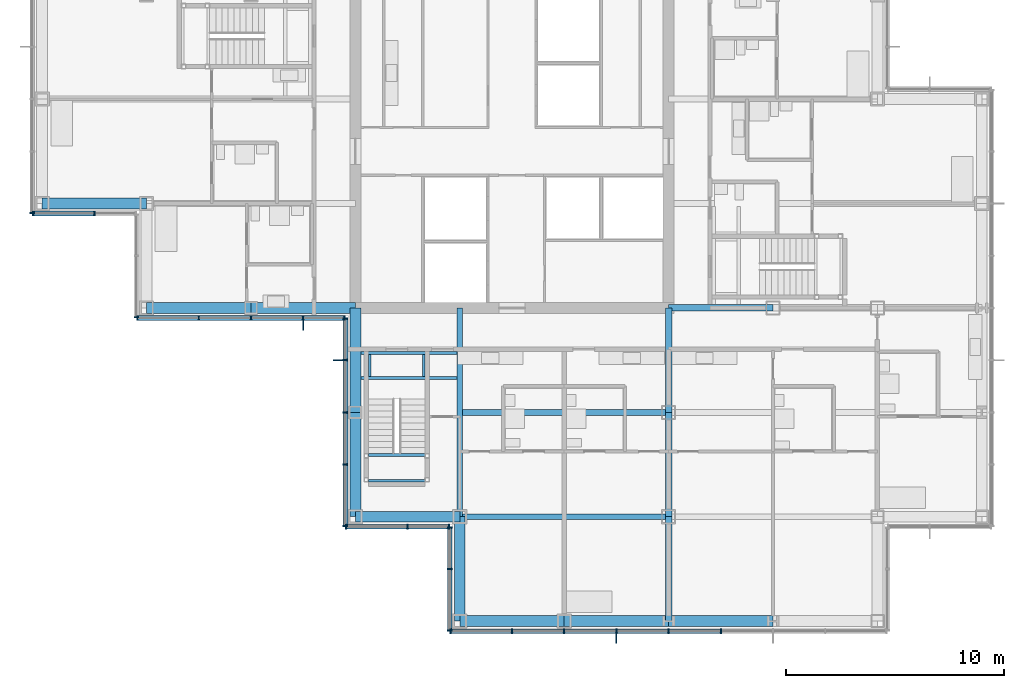
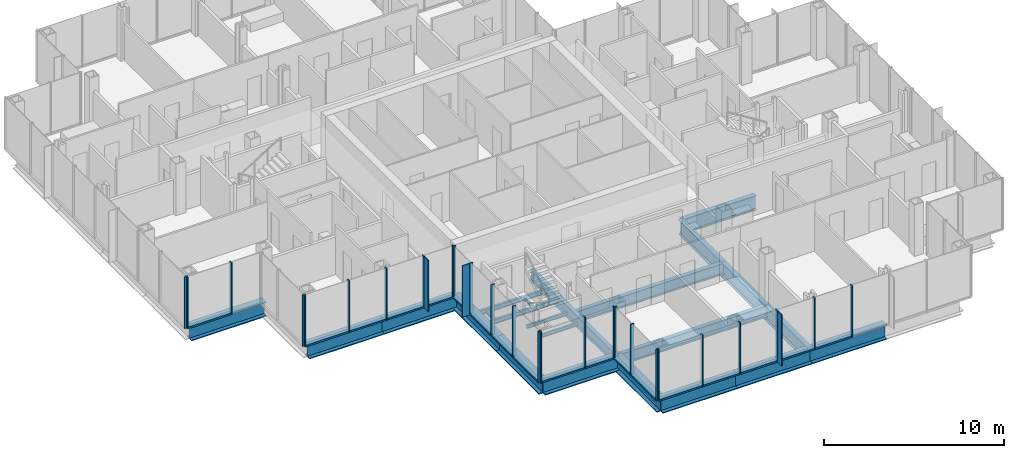
# One storey, part 6 of 20: 47 members, 23 beams, 8 elements without a shape of their own.
"""IFC4 building model written with IfcOpenShell, lengths in metres."""

import ifcopenshell
import ifcopenshell.guid

model = None  # the IFC model being written
_history = None  # IfcOwnerHistory: only IFC2X3 demands one
_inside = {}  # id of a spatial element -> (the spatial element, [elements in it])
_under = {}  # id of a project, library or spatial element -> (it, [spatial elements below it])
_declared = {}  # id of a project -> (the project, [libraries it declares])
_typed = {}  # id of a type object -> (the type object, [elements of that type])
_made_of = {}  # id of a material, layer set ... -> (it, [elements and type objects made of it])


def new_model(schema):
    """Start an empty IFC model of exactly this schema.

    Asked for "IFC4X3", IfcOpenShell would pick the latest addendum, in which some entities
    have other attributes; the version numbers below select the first issue.
    IFC2X3 requires an IfcOwnerHistory on every rooted entity: one is made here for all.
    """
    global model, _history
    if schema == "IFC4X3":
        model = ifcopenshell.file(schema_version=(4, 3, 0, 0))
    else:
        model = ifcopenshell.file(schema=schema)
    _inside.clear()
    _under.clear()
    _declared.clear()
    _typed.clear()
    _made_of.clear()
    _history = None
    if model.schema == "IFC2X3":
        org = make("IfcOrganization", Name="unknown")
        user = make(
            "IfcPersonAndOrganization",
            ThePerson=make("IfcPerson", FamilyName="unknown"),
            TheOrganization=org,
        )
        app = make(
            "IfcApplication",
            ApplicationDeveloper=org,
            Version="unknown",
            ApplicationFullName="unknown",
            ApplicationIdentifier="unknown",
        )
        _history = make(
            "IfcOwnerHistory",
            OwningUser=user,
            OwningApplication=app,
            ChangeAction="ADDED",
            CreationDate=0,
        )
    return model


def make(cls, **values):
    """One entity of the class cls with the attributes given. An attribute that is None is left unset."""
    return model.create_entity(
        cls, **{name: value for name, value in values.items() if value is not None}
    )


def rooted(cls, **values):
    """An entity with a GlobalId (a new one), such as an element, a storey or a relation."""
    return make(cls, GlobalId=ifcopenshell.guid.new(), OwnerHistory=_history, **values)


def si_unit(unit_type, name, prefix=None):
    """IfcSIUnit, for example si_unit("LENGTHUNIT", "METRE", prefix="MILLI")."""
    return make("IfcSIUnit", UnitType=unit_type, Prefix=prefix, Name=name)


def assignment(units):
    """IfcUnitAssignment: the units of a project."""
    return None if units is None else make("IfcUnitAssignment", Units=units)


def point(xyz):
    """IfcCartesianPoint."""
    return None if xyz is None else make("IfcCartesianPoint", Coordinates=xyz)


def direction(xyz):
    """IfcDirection."""
    return None if xyz is None else make("IfcDirection", DirectionRatios=xyz)


def frame(location, z_axis=None, x_axis=None):
    """IfcAxis2Placement3D, a coordinate frame: its origin and axes. An axis left out is left unset."""
    return make(
        "IfcAxis2Placement3D",
        Location=point(location),
        Axis=direction(z_axis),
        RefDirection=direction(x_axis),
    )


def frame_2d(location, x_axis=None):
    """IfcAxis2Placement2D, a coordinate frame in the plane: its origin and x axis."""
    return make(
        "IfcAxis2Placement2D", Location=point(location), RefDirection=direction(x_axis)
    )


def origin():
    """The frame at (0, 0, 0) with its axes left unset."""
    return frame((0.0, 0.0, 0.0))


def origin_2d():
    """The frame at (0, 0) in the plane with its x axis left unset."""
    return frame_2d((0.0, 0.0))


def place(relative_to, where):
    """IfcLocalPlacement: puts the frame where relative to a parent placement (None: the world)."""
    return make(
        "IfcLocalPlacement", PlacementRelTo=relative_to, RelativePlacement=where
    )


def context(
    kind, dimensions, precision=None, world=None, true_north=None, identifier=None
):
    """IfcGeometricRepresentationContext, for example the 3D "Model" context."""
    return make(
        "IfcGeometricRepresentationContext",
        ContextIdentifier=identifier,
        ContextType=kind,
        CoordinateSpaceDimension=dimensions,
        Precision=precision,
        WorldCoordinateSystem=world,
        TrueNorth=true_north,
    )


def subcontext(parent, identifier, kind, view, scale=None):
    """IfcGeometricRepresentationSubContext, for example "Body" below "Model"."""
    return make(
        "IfcGeometricRepresentationSubContext",
        ContextIdentifier=identifier,
        ContextType=kind,
        ParentContext=parent,
        TargetScale=scale,
        TargetView=view,
    )


def project(units=None, contexts=None):
    """IfcProject with its units and contexts."""
    return rooted(
        "IfcProject",
        Name="project",
        RepresentationContexts=contexts,
        UnitsInContext=assignment(units),
    )


def spatial(cls, under=None, at=None, **own):
    """A site, building, storey or space (cls), placed at a placement, below another one or the project."""
    s = rooted(cls, ObjectPlacement=at, **own)
    if under is not None:
        _under.setdefault(under.id(), (under, []))[1].append(s)
    return s


def profile(cls, at=None, kind="AREA", **sizes):
    """A parametric profile (cls). Its sizes go by their IFC names, for example OverallWidth=200.0."""
    return make(cls, ProfileType=kind, Position=at, **sizes)


def rectangle(**sizes):
    """IfcRectangleProfileDef."""
    return profile("IfcRectangleProfileDef", **sizes)


def i_section(**sizes):
    """IfcIShapeProfileDef."""
    return profile("IfcIShapeProfileDef", **sizes)


def extrude(swept, where, along, depth):
    """IfcExtrudedAreaSolid: the profile swept, set in the frame where, extruded along a direction by depth."""
    return make(
        "IfcExtrudedAreaSolid",
        SweptArea=swept,
        Position=where,
        ExtrudedDirection=direction(along),
        Depth=depth,
    )


def shape(context_of_items, identifier, shape_type, items):
    """IfcShapeRepresentation: the items that make up one representation, for example the "Body"."""
    return make(
        "IfcShapeRepresentation",
        ContextOfItems=context_of_items,
        RepresentationIdentifier=identifier,
        RepresentationType=shape_type,
        Items=items,
    )


def material(Name=None, Category=None):
    """IfcMaterial."""
    return make("IfcMaterial", Name=Name, Category=Category)


def material_profile(
    of_material, cross_section, Name=None, Category=None, Priority=None
):
    """IfcMaterialProfile: a cross section and its material."""
    return make(
        "IfcMaterialProfile",
        Name=Name,
        Material=of_material,
        Profile=cross_section,
        Priority=Priority,
        Category=Category,
    )


def profile_set(profiles, Name=None, composite=None):
    """IfcMaterialProfileSet."""
    return make(
        "IfcMaterialProfileSet",
        Name=Name,
        MaterialProfiles=profiles,
        CompositeProfile=composite,
    )


def made_of(thing, what):
    """Note that an element or type object is made of a material, layer set ...; save() writes the relation."""
    if what is not None:
        _made_of.setdefault(what.id(), (what, []))[1].append(thing)
    return thing


def type_object(cls, material=None, **own):
    """A type object (cls), such as IfcWallType, which elements share."""
    return made_of(rooted(cls, **own), material)


def element(
    cls,
    number,
    at=None,
    inside=None,
    cuts=None,
    type_object=None,
    material=None,
    context=None,
    identifier="Body",
    shape_type=None,
    held_by="IfcProductDefinitionShape",
    body=None,
    shapes=None,
    **own,
):
    """One element of the class cls, such as IfcWall. Its Tag is "e" and its number.

    at: its placement. inside: the storey or other place that contains it. cuts: it is an
    opening in that element (IfcRelVoidsElement). A single representation is given by context,
    identifier, shape_type and body (its items); several are given by shapes. held_by: the class
    of the entity that holds the representations. save() writes the other relations.
    """
    e = rooted(cls, Tag="e%d" % number, ObjectPlacement=at, **own)
    if body is not None:
        shapes = [shape(context, identifier, shape_type, body)]
    if shapes is not None:
        e.Representation = make(held_by, Representations=shapes)
    if inside is not None:
        _inside.setdefault(inside.id(), (inside, []))[1].append(e)
    if cuts is not None:
        rooted(
            "IfcRelVoidsElement", RelatingBuildingElement=cuts, RelatedOpeningElement=e
        )
    if type_object is not None:
        _typed.setdefault(type_object.id(), (type_object, []))[1].append(e)
    return made_of(e, material)


def aggregate(whole, parts):
    """IfcRelAggregates: a whole, such as a stair, and the parts it consists of."""
    return rooted("IfcRelAggregates", RelatingObject=whole, RelatedObjects=parts)


def save(model, path):
    """Write the relations noted so far, then the file.

    IfcRelAggregates (storeys below a building ...), IfcRelContainedInSpatialStructure (elements
    in a storey), IfcRelDefinesByType, IfcRelAssociatesMaterial and IfcRelDeclares: one each for
    every whole, place, type object, material and project.
    """
    for whole, parts in _under.values():
        aggregate(whole, parts)
    for where, things in _inside.values():
        rooted(
            "IfcRelContainedInSpatialStructure",
            RelatedElements=things,
            RelatingStructure=where,
        )
    for kind, things in _typed.values():
        rooted("IfcRelDefinesByType", RelatedObjects=things, RelatingType=kind)
    for what, things in _made_of.values():
        rooted("IfcRelAssociatesMaterial", RelatedObjects=things, RelatingMaterial=what)
    for by, libraries in _declared.values():
        rooted("IfcRelDeclares", RelatingContext=by, RelatedDefinitions=libraries)
    model.write(path)


model = new_model("IFC4")

# Units and contexts
model_context = context("Model", 3, precision=1e-05, world=origin(), true_north=direction((0.0, 1.0)))
body_context = subcontext(model_context, "Body", "Model", "MODEL_VIEW")
ifc_project = project(units=[si_unit("LENGTHUNIT", "METRE"), si_unit("AREAUNIT", "SQUARE_METRE"), si_unit("VOLUMEUNIT", "CUBIC_METRE"), si_unit("PLANEANGLEUNIT", "RADIAN"), si_unit("MASSUNIT", "GRAM", prefix="KILO")], contexts=[model_context])

# Site, building, storey
site_placement = place(None, origin())
site = spatial("IfcSite", under=ifc_project, at=site_placement, CompositionType="ELEMENT")
building_placement = place(site_placement, origin())
building = spatial("IfcBuilding", under=site, at=building_placement, Name="Kvirike Care Tower", CompositionType="ELEMENT")
storey_placement = place(building_placement, frame((0.0, 0.0, 94.5)))
storey = spatial("IfcBuildingStorey", under=building, at=storey_placement, Name="L25", CompositionType="ELEMENT", Elevation=94.5)

# Curtain wall, member
ifc_material_1 = material(Name="Anodised aluminium stick system", Category="aluminium")
curtain_wall_type = type_object("IfcCurtainWallType", Name="CW-B STICK CURTAIN WALL", PredefinedType="NOTDEFINED", material=ifc_material_1)
curtain_wall_1_placement = place(storey_placement, origin())
curtain_wall_1 = element("IfcCurtainWall", 1, at=curtain_wall_1_placement, inside=storey, type_object=curtain_wall_type, Name="Curtain wall L25 face 14", PredefinedType="NOTDEFINED")
ifc_material_2 = material(Name="Bronze anodised aluminium fin", Category="aluminium")
ifc_material_profile_1 = material_profile(ifc_material_2, rectangle(XDim=0.050048828125, YDim=0.449951171875, at=origin_2d()), Name="BRONZE FIN 450")
ifc_profile_set_1 = profile_set([ifc_material_profile_1], Name="Bronze anodised aluminium fin")
member_type_1 = type_object("IfcMemberType", Name="BRONZE FIN 450", PredefinedType="USERDEFINED", material=ifc_profile_set_1)
member_1_placement = place(storey_placement, frame((12.0, 28.0048828125, 0.0), z_axis=(0.0, 0.0, 1.0), x_axis=(1.0, 0.0, 0.0)))
member_1 = element("IfcMember", 2, at=member_1_placement, type_object=member_type_1, Name="Bronze fin L25 face 14.4", ObjectType="FIN", PredefinedType="USERDEFINED", context=body_context, shape_type="SweptSolid", body=[
    extrude(rectangle(XDim=0.050048828125, YDim=0.449951171875, at=origin_2d()), origin(), (0.0, 0.0, 1.0), 3.5),
])

curtain_wall_2_placement = place(storey_placement, origin())
curtain_wall_2 = element("IfcCurtainWall", 3, at=curtain_wall_2_placement, inside=storey, type_object=curtain_wall_type, Name="Curtain wall L25 face 15", PredefinedType="NOTDEFINED")
member_2_placement = place(storey_placement, frame((13.60498046875, 26.39990234375, 0.0), z_axis=(0.0, 0.0, 1.0), x_axis=(0.0, -1.0, 0.0)))
member_2 = element("IfcMember", 4, at=member_2_placement, type_object=member_type_1, Name="Bronze fin L25 face 15.2", ObjectType="FIN", PredefinedType="USERDEFINED", context=body_context, shape_type="SweptSolid", body=[
    extrude(rectangle(XDim=0.050048828125, YDim=0.449951171875, at=origin_2d()), origin(), (0.0, 0.0, 1.0), 3.5),
])

curtain_wall_3_placement = place(storey_placement, origin())
curtain_wall_3 = element("IfcCurtainWall", 5, at=curtain_wall_3_placement, inside=storey, type_object=curtain_wall_type, Name="Curtain wall L25 face 18", PredefinedType="NOTDEFINED")
member_3_placement = place(storey_placement, frame((26.39990234375, 13.60498046875, 0.0), z_axis=(0.0, 0.0, 1.0), x_axis=(1.0, 0.0, 0.0)))
member_3 = element("IfcMember", 6, at=member_3_placement, type_object=member_type_1, Name="Bronze fin L25 face 18.4", ObjectType="FIN", PredefinedType="USERDEFINED", context=body_context, shape_type="SweptSolid", body=[
    extrude(rectangle(XDim=0.050048828125, YDim=0.449951171875, at=origin_2d()), origin(), (0.0, 0.0, 1.0), 3.5),
])

curtain_wall_4_placement = place(storey_placement, origin())
curtain_wall_4 = element("IfcCurtainWall", 7, at=curtain_wall_4_placement, inside=storey, type_object=curtain_wall_type, Name="Curtain wall L25 face 11", PredefinedType="NOTDEFINED")
ifc_material_3 = material(Name="Bronze anodised aluminium mullion", Category="aluminium")
ifc_material_profile_2 = material_profile(ifc_material_3, rectangle(XDim=0.06494140625, YDim=0.219970703125, at=origin_2d()), Name="CW-B MULLION 65x220")
ifc_profile_set_2 = profile_set([ifc_material_profile_2], Name="Bronze anodised aluminium mullion")
member_type_2 = type_object("IfcMemberType", Name="CW-B MULLION 65x220", PredefinedType="MULLION", material=ifc_profile_set_2)
member_4_placement = place(storey_placement, frame((-0.4599609375, 33.172607421875, 0.0), z_axis=(0.0, 0.0, 1.0), x_axis=(0.0, -1.0, 0.0)))
member_4 = element("IfcMember", 8, at=member_4_placement, type_object=member_type_2, Name="CW-B mullion L25 face 11.9", PredefinedType="MULLION", context=body_context, shape_type="SweptSolid", body=[
    extrude(rectangle(XDim=0.06494140625, YDim=0.219970703125, at=origin_2d()), origin(), (0.0, 0.0, 1.0), 3.5),
])
aggregate(curtain_wall_4, [member_4])

# Curtain wall, members
curtain_wall_5_placement = place(storey_placement, origin())
curtain_wall_5 = element("IfcCurtainWall", 9, at=curtain_wall_5_placement, inside=storey, type_object=curtain_wall_type, Name="Curtain wall L25 face 12", PredefinedType="NOTDEFINED")
member_5_placement = place(storey_placement, frame((-0.427490234375, 33.139892578125, 0.0), z_axis=(0.0, 0.0, 1.0), x_axis=(1.0, 0.0, 0.0)))
member_5 = element("IfcMember", 10, at=member_5_placement, type_object=member_type_2, Name="CW-B mullion L25 face 12.1", PredefinedType="MULLION", context=body_context, shape_type="SweptSolid", body=[
    extrude(rectangle(XDim=0.06494140625, YDim=0.219970703125, at=origin_2d()), origin(), (0.0, 0.0, 1.0), 3.5),
])
member_6_placement = place(storey_placement, frame((2.39990234375, 33.139892578125, 0.0), z_axis=(0.0, 0.0, 1.0), x_axis=(1.0, 0.0, 0.0)))
member_6 = element("IfcMember", 11, at=member_6_placement, type_object=member_type_2, Name="CW-B mullion L25 face 12.2", PredefinedType="MULLION", context=body_context, shape_type="SweptSolid", body=[
    extrude(rectangle(XDim=0.06494140625, YDim=0.219970703125, at=origin_2d()), origin(), (0.0, 0.0, 1.0), 3.5),
])

# Curtain wall, member
curtain_wall_6_placement = place(storey_placement, origin())
curtain_wall_6 = element("IfcCurtainWall", 12, at=curtain_wall_6_placement, inside=storey, type_object=curtain_wall_type, Name="Curtain wall L25 face 13", PredefinedType="NOTDEFINED")
member_7_placement = place(storey_placement, frame((4.340087890625, 28.37255859375, 0.0), z_axis=(0.0, 0.0, 1.0), x_axis=(0.0, -1.0, 0.0)))
member_7 = element("IfcMember", 13, at=member_7_placement, type_object=member_type_2, Name="CW-B mullion L25 face 13.3", PredefinedType="MULLION", context=body_context, shape_type="SweptSolid", body=[
    extrude(rectangle(XDim=0.06494140625, YDim=0.219970703125, at=origin_2d()), origin(), (0.0, 0.0, 1.0), 3.5),
])
aggregate(curtain_wall_6, [member_7])

# Member
member_8_placement = place(storey_placement, frame((4.37255859375, 28.340087890625, 0.0), z_axis=(0.0, 0.0, 1.0), x_axis=(1.0, 0.0, 0.0)))
member_8 = element("IfcMember", 14, at=member_8_placement, type_object=member_type_2, Name="CW-B mullion L25 face 14.1", PredefinedType="MULLION", context=body_context, shape_type="SweptSolid", body=[
    extrude(rectangle(XDim=0.06494140625, YDim=0.219970703125, at=origin_2d()), origin(), (0.0, 0.0, 1.0), 3.5),
])

member_9_placement = place(storey_placement, frame((7.199951171875, 28.340087890625, 0.0), z_axis=(0.0, 0.0, 1.0), x_axis=(1.0, 0.0, 0.0)))
member_9 = element("IfcMember", 15, at=member_9_placement, type_object=member_type_2, Name="CW-B mullion L25 face 14.2", PredefinedType="MULLION", context=body_context, shape_type="SweptSolid", body=[
    extrude(rectangle(XDim=0.06494140625, YDim=0.219970703125, at=origin_2d()), origin(), (0.0, 0.0, 1.0), 3.5),
])

member_10_placement = place(storey_placement, frame((9.60009765625, 28.340087890625, 0.0), z_axis=(0.0, 0.0, 1.0), x_axis=(1.0, 0.0, 0.0)))
member_10 = element("IfcMember", 16, at=member_10_placement, type_object=member_type_2, Name="CW-B mullion L25 face 14.3", PredefinedType="MULLION", context=body_context, shape_type="SweptSolid", body=[
    extrude(rectangle(XDim=0.06494140625, YDim=0.219970703125, at=origin_2d()), origin(), (0.0, 0.0, 1.0), 3.5),
])

member_11_placement = place(storey_placement, frame((12.0, 28.340087890625, 0.0), z_axis=(0.0, 0.0, 1.0), x_axis=(1.0, 0.0, 0.0)))
member_11 = element("IfcMember", 17, at=member_11_placement, type_object=member_type_2, Name="CW-B mullion L25 face 14.4", PredefinedType="MULLION", context=body_context, shape_type="SweptSolid", body=[
    extrude(rectangle(XDim=0.06494140625, YDim=0.219970703125, at=origin_2d()), origin(), (0.0, 0.0, 1.0), 3.5),
])

member_12_placement = place(storey_placement, frame((13.907470703125, 28.340087890625, 0.0), z_axis=(0.0, 0.0, 1.0), x_axis=(1.0, 0.0, 0.0)))
member_12 = element("IfcMember", 18, at=member_12_placement, type_object=member_type_2, Name="CW-B mullion L25 face 14.5", PredefinedType="MULLION", context=body_context, shape_type="SweptSolid", body=[
    extrude(rectangle(XDim=0.06494140625, YDim=0.219970703125, at=origin_2d()), origin(), (0.0, 0.0, 1.0), 3.5),
])

member_13_placement = place(storey_placement, frame((13.93994140625, 28.3076171875, 0.0), z_axis=(0.0, 0.0, 1.0), x_axis=(0.0, -1.0, 0.0)))
member_13 = element("IfcMember", 19, at=member_13_placement, type_object=member_type_2, Name="CW-B mullion L25 face 15.1", PredefinedType="MULLION", context=body_context, shape_type="SweptSolid", body=[
    extrude(rectangle(XDim=0.06494140625, YDim=0.219970703125, at=origin_2d()), origin(), (0.0, 0.0, 1.0), 3.5),
])

member_14_placement = place(storey_placement, frame((13.93994140625, 26.39990234375, 0.0), z_axis=(0.0, 0.0, 1.0), x_axis=(0.0, -1.0, 0.0)))
member_14 = element("IfcMember", 20, at=member_14_placement, type_object=member_type_2, Name="CW-B mullion L25 face 15.2", PredefinedType="MULLION", context=body_context, shape_type="SweptSolid", body=[
    extrude(rectangle(XDim=0.06494140625, YDim=0.219970703125, at=origin_2d()), origin(), (0.0, 0.0, 1.0), 3.5),
])

member_15_placement = place(storey_placement, frame((13.93994140625, 24.0, 0.0), z_axis=(0.0, 0.0, 1.0), x_axis=(0.0, -1.0, 0.0)))
member_15 = element("IfcMember", 21, at=member_15_placement, type_object=member_type_2, Name="CW-B mullion L25 face 15.3", PredefinedType="MULLION", context=body_context, shape_type="SweptSolid", body=[
    extrude(rectangle(XDim=0.06494140625, YDim=0.219970703125, at=origin_2d()), origin(), (0.0, 0.0, 1.0), 3.5),
])

member_16_placement = place(storey_placement, frame((13.93994140625, 21.60009765625, 0.0), z_axis=(0.0, 0.0, 1.0), x_axis=(0.0, -1.0, 0.0)))
member_16 = element("IfcMember", 22, at=member_16_placement, type_object=member_type_2, Name="CW-B mullion L25 face 15.4", PredefinedType="MULLION", context=body_context, shape_type="SweptSolid", body=[
    extrude(rectangle(XDim=0.06494140625, YDim=0.219970703125, at=origin_2d()), origin(), (0.0, 0.0, 1.0), 3.5),
])

member_17_placement = place(storey_placement, frame((13.93994140625, 18.7724609375, 0.0), z_axis=(0.0, 0.0, 1.0), x_axis=(0.0, -1.0, 0.0)))
member_17 = element("IfcMember", 23, at=member_17_placement, type_object=member_type_2, Name="CW-B mullion L25 face 15.5", PredefinedType="MULLION", context=body_context, shape_type="SweptSolid", body=[
    extrude(rectangle(XDim=0.06494140625, YDim=0.219970703125, at=origin_2d()), origin(), (0.0, 0.0, 1.0), 3.5),
])

# Curtain wall, members
curtain_wall_7_placement = place(storey_placement, origin())
curtain_wall_7 = element("IfcCurtainWall", 24, at=curtain_wall_7_placement, inside=storey, type_object=curtain_wall_type, Name="Curtain wall L25 face 16", PredefinedType="NOTDEFINED")
member_18_placement = place(storey_placement, frame((13.972412109375, 18.739990234375, 0.0), z_axis=(0.0, 0.0, 1.0), x_axis=(1.0, 0.0, 0.0)))
member_18 = element("IfcMember", 25, at=member_18_placement, type_object=member_type_2, Name="CW-B mullion L25 face 16.1", PredefinedType="MULLION", context=body_context, shape_type="SweptSolid", body=[
    extrude(rectangle(XDim=0.06494140625, YDim=0.219970703125, at=origin_2d()), origin(), (0.0, 0.0, 1.0), 3.5),
])
member_19_placement = place(storey_placement, frame((16.800048828125, 18.739990234375, 0.0), z_axis=(0.0, 0.0, 1.0), x_axis=(1.0, 0.0, 0.0)))
member_19 = element("IfcMember", 26, at=member_19_placement, type_object=member_type_2, Name="CW-B mullion L25 face 16.2", PredefinedType="MULLION", context=body_context, shape_type="SweptSolid", body=[
    extrude(rectangle(XDim=0.06494140625, YDim=0.219970703125, at=origin_2d()), origin(), (0.0, 0.0, 1.0), 3.5),
])
member_20_placement = place(storey_placement, frame((18.70751953125, 18.739990234375, 0.0), z_axis=(0.0, 0.0, 1.0), x_axis=(1.0, 0.0, 0.0)))
member_20 = element("IfcMember", 27, at=member_20_placement, type_object=member_type_2, Name="CW-B mullion L25 face 16.3", PredefinedType="MULLION", context=body_context, shape_type="SweptSolid", body=[
    extrude(rectangle(XDim=0.06494140625, YDim=0.219970703125, at=origin_2d()), origin(), (0.0, 0.0, 1.0), 3.5),
])

curtain_wall_8_placement = place(storey_placement, origin())
curtain_wall_8 = element("IfcCurtainWall", 28, at=curtain_wall_8_placement, inside=storey, type_object=curtain_wall_type, Name="Curtain wall L25 face 17", PredefinedType="NOTDEFINED")
member_21_placement = place(storey_placement, frame((18.739990234375, 18.70751953125, 0.0), z_axis=(0.0, 0.0, 1.0), x_axis=(0.0, -1.0, 0.0)))
member_21 = element("IfcMember", 29, at=member_21_placement, type_object=member_type_2, Name="CW-B mullion L25 face 17.1", PredefinedType="MULLION", context=body_context, shape_type="SweptSolid", body=[
    extrude(rectangle(XDim=0.06494140625, YDim=0.219970703125, at=origin_2d()), origin(), (0.0, 0.0, 1.0), 3.5),
])
member_22_placement = place(storey_placement, frame((18.739990234375, 16.800048828125, 0.0), z_axis=(0.0, 0.0, 1.0), x_axis=(0.0, -1.0, 0.0)))
member_22 = element("IfcMember", 30, at=member_22_placement, type_object=member_type_2, Name="CW-B mullion L25 face 17.2", PredefinedType="MULLION", context=body_context, shape_type="SweptSolid", body=[
    extrude(rectangle(XDim=0.06494140625, YDim=0.219970703125, at=origin_2d()), origin(), (0.0, 0.0, 1.0), 3.5),
])
member_23_placement = place(storey_placement, frame((18.739990234375, 13.972412109375, 0.0), z_axis=(0.0, 0.0, 1.0), x_axis=(0.0, -1.0, 0.0)))
member_23 = element("IfcMember", 31, at=member_23_placement, type_object=member_type_2, Name="CW-B mullion L25 face 17.3", PredefinedType="MULLION", context=body_context, shape_type="SweptSolid", body=[
    extrude(rectangle(XDim=0.06494140625, YDim=0.219970703125, at=origin_2d()), origin(), (0.0, 0.0, 1.0), 3.5),
])

# Member
member_24_placement = place(storey_placement, frame((18.7724609375, 13.93994140625, 0.0), z_axis=(0.0, 0.0, 1.0), x_axis=(1.0, 0.0, 0.0)))
member_24 = element("IfcMember", 32, at=member_24_placement, type_object=member_type_2, Name="CW-B mullion L25 face 18.1", PredefinedType="MULLION", context=body_context, shape_type="SweptSolid", body=[
    extrude(rectangle(XDim=0.06494140625, YDim=0.219970703125, at=origin_2d()), origin(), (0.0, 0.0, 1.0), 3.5),
])

member_25_placement = place(storey_placement, frame((21.60009765625, 13.93994140625, 0.0), z_axis=(0.0, 0.0, 1.0), x_axis=(1.0, 0.0, 0.0)))
member_25 = element("IfcMember", 33, at=member_25_placement, type_object=member_type_2, Name="CW-B mullion L25 face 18.2", PredefinedType="MULLION", context=body_context, shape_type="SweptSolid", body=[
    extrude(rectangle(XDim=0.06494140625, YDim=0.219970703125, at=origin_2d()), origin(), (0.0, 0.0, 1.0), 3.5),
])

member_26_placement = place(storey_placement, frame((24.0, 13.93994140625, 0.0), z_axis=(0.0, 0.0, 1.0), x_axis=(1.0, 0.0, 0.0)))
member_26 = element("IfcMember", 34, at=member_26_placement, type_object=member_type_2, Name="CW-B mullion L25 face 18.3", PredefinedType="MULLION", context=body_context, shape_type="SweptSolid", body=[
    extrude(rectangle(XDim=0.06494140625, YDim=0.219970703125, at=origin_2d()), origin(), (0.0, 0.0, 1.0), 3.5),
])

member_27_placement = place(storey_placement, frame((26.39990234375, 13.93994140625, 0.0), z_axis=(0.0, 0.0, 1.0), x_axis=(1.0, 0.0, 0.0)))
member_27 = element("IfcMember", 35, at=member_27_placement, type_object=member_type_2, Name="CW-B mullion L25 face 18.4", PredefinedType="MULLION", context=body_context, shape_type="SweptSolid", body=[
    extrude(rectangle(XDim=0.06494140625, YDim=0.219970703125, at=origin_2d()), origin(), (0.0, 0.0, 1.0), 3.5),
])

member_28_placement = place(storey_placement, frame((28.800048828125, 13.93994140625, 0.0), z_axis=(0.0, 0.0, 1.0), x_axis=(1.0, 0.0, 0.0)))
member_28 = element("IfcMember", 36, at=member_28_placement, type_object=member_type_2, Name="CW-B mullion L25 face 18.5", PredefinedType="MULLION", context=body_context, shape_type="SweptSolid", body=[
    extrude(rectangle(XDim=0.06494140625, YDim=0.219970703125, at=origin_2d()), origin(), (0.0, 0.0, 1.0), 3.5),
])

member_29_placement = place(storey_placement, frame((31.199951171875, 13.93994140625, 0.0), z_axis=(0.0, 0.0, 1.0), x_axis=(1.0, 0.0, 0.0)))
member_29 = element("IfcMember", 37, at=member_29_placement, type_object=member_type_2, Name="CW-B mullion L25 face 18.6", PredefinedType="MULLION", context=body_context, shape_type="SweptSolid", body=[
    extrude(rectangle(XDim=0.06494140625, YDim=0.219970703125, at=origin_2d()), origin(), (0.0, 0.0, 1.0), 3.5),
])

ifc_material_4 = material(Name="Bronze anodised aluminium transom", Category="aluminium")
ifc_material_profile_3 = material_profile(ifc_material_4, rectangle(XDim=0.219970703125, YDim=0.10009765625, at=origin_2d()), Name="CW-B TRANSOM 220x100")
ifc_profile_set_3 = profile_set([ifc_material_profile_3], Name="Bronze anodised aluminium transom")
member_type_3 = type_object("IfcMemberType", Name="CW-B TRANSOM 220x100", PredefinedType="USERDEFINED", material=ifc_profile_set_3)
member_30_placement = place(storey_placement, frame((-0.39501953125, 33.139892578125, 0.050048828125), z_axis=(1.0, 0.0, 0.0), x_axis=(0.0, 1.0, 0.0)))
member_30 = element("IfcMember", 38, at=member_30_placement, type_object=member_type_3, Name="CW-B sill transom L25 face 12.1", ObjectType="TRANSOM", PredefinedType="USERDEFINED", context=body_context, shape_type="SweptSolid", body=[
    extrude(rectangle(XDim=0.219970703125, YDim=0.10009765625, at=origin_2d()), origin(), (0.0, 0.0, 1.0), 2.762451171875),
])

aggregate(curtain_wall_5, [member_5, member_6, member_30])

member_31_placement = place(storey_placement, frame((4.405029296875, 28.340087890625, 0.050048828125), z_axis=(1.0, 0.0, 0.0), x_axis=(0.0, 1.0, 0.0)))
member_31 = element("IfcMember", 39, at=member_31_placement, type_object=member_type_3, Name="CW-B sill transom L25 face 14.1", ObjectType="TRANSOM", PredefinedType="USERDEFINED", context=body_context, shape_type="SweptSolid", body=[
    extrude(rectangle(XDim=0.219970703125, YDim=0.10009765625, at=origin_2d()), origin(), (0.0, 0.0, 1.0), 2.762451171875),
])

member_32_placement = place(storey_placement, frame((7.232421875, 28.340087890625, 0.050048828125), z_axis=(1.0, 0.0, 0.0), x_axis=(0.0, 1.0, 0.0)))
member_32 = element("IfcMember", 40, at=member_32_placement, type_object=member_type_3, Name="CW-B sill transom L25 face 14.2", ObjectType="TRANSOM", PredefinedType="USERDEFINED", context=body_context, shape_type="SweptSolid", body=[
    extrude(rectangle(XDim=0.219970703125, YDim=0.10009765625, at=origin_2d()), origin(), (0.0, 0.0, 1.0), 2.3349609375),
])

member_33_placement = place(storey_placement, frame((9.632568359375, 28.340087890625, 0.050048828125), z_axis=(1.0, 0.0, 0.0), x_axis=(0.0, 1.0, 0.0)))
member_33 = element("IfcMember", 41, at=member_33_placement, type_object=member_type_3, Name="CW-B sill transom L25 face 14.3", ObjectType="TRANSOM", PredefinedType="USERDEFINED", context=body_context, shape_type="SweptSolid", body=[
    extrude(rectangle(XDim=0.219970703125, YDim=0.10009765625, at=origin_2d()), origin(), (0.0, 0.0, 1.0), 2.3349609375),
])

member_34_placement = place(storey_placement, frame((12.032470703125, 28.340087890625, 0.050048828125), z_axis=(1.0, 0.0, 0.0), x_axis=(0.0, 1.0, 0.0)))
member_34 = element("IfcMember", 42, at=member_34_placement, type_object=member_type_3, Name="CW-B sill transom L25 face 14.4", ObjectType="TRANSOM", PredefinedType="USERDEFINED", context=body_context, shape_type="SweptSolid", body=[
    extrude(rectangle(XDim=0.219970703125, YDim=0.10009765625, at=origin_2d()), origin(), (0.0, 0.0, 1.0), 1.842529296875),
])

aggregate(curtain_wall_1, [member_8, member_9, member_10, member_11, member_1, member_12, member_31, member_32, member_33, member_34])

member_35_placement = place(storey_placement, frame((13.93994140625, 28.27490234375, 0.050048828125), z_axis=(0.0, -1.0, 0.0), x_axis=(1.0, 0.0, 0.0)))
member_35 = element("IfcMember", 43, at=member_35_placement, type_object=member_type_3, Name="CW-B sill transom L25 face 15.1", ObjectType="TRANSOM", PredefinedType="USERDEFINED", context=body_context, shape_type="SweptSolid", body=[
    extrude(rectangle(XDim=0.219970703125, YDim=0.10009765625, at=origin_2d()), origin(), (0.0, 0.0, 1.0), 1.84228515625),
])

member_36_placement = place(storey_placement, frame((13.93994140625, 26.367431640625, 0.050048828125), z_axis=(0.0, -1.0, 0.0), x_axis=(1.0, 0.0, 0.0)))
member_36 = element("IfcMember", 44, at=member_36_placement, type_object=member_type_3, Name="CW-B sill transom L25 face 15.2", ObjectType="TRANSOM", PredefinedType="USERDEFINED", context=body_context, shape_type="SweptSolid", body=[
    extrude(rectangle(XDim=0.219970703125, YDim=0.10009765625, at=origin_2d()), origin(), (0.0, 0.0, 1.0), 2.3349609375),
])

member_37_placement = place(storey_placement, frame((13.93994140625, 23.967529296875, 0.050048828125), z_axis=(0.0, -1.0, 0.0), x_axis=(1.0, 0.0, 0.0)))
member_37 = element("IfcMember", 45, at=member_37_placement, type_object=member_type_3, Name="CW-B sill transom L25 face 15.3", ObjectType="TRANSOM", PredefinedType="USERDEFINED", context=body_context, shape_type="SweptSolid", body=[
    extrude(rectangle(XDim=0.219970703125, YDim=0.10009765625, at=origin_2d()), origin(), (0.0, 0.0, 1.0), 2.3349609375),
])

member_38_placement = place(storey_placement, frame((13.93994140625, 21.5673828125, 0.050048828125), z_axis=(0.0, -1.0, 0.0), x_axis=(1.0, 0.0, 0.0)))
member_38 = element("IfcMember", 46, at=member_38_placement, type_object=member_type_3, Name="CW-B sill transom L25 face 15.4", ObjectType="TRANSOM", PredefinedType="USERDEFINED", context=body_context, shape_type="SweptSolid", body=[
    extrude(rectangle(XDim=0.219970703125, YDim=0.10009765625, at=origin_2d()), origin(), (0.0, 0.0, 1.0), 2.762451171875),
])

aggregate(curtain_wall_2, [member_13, member_14, member_2, member_15, member_16, member_17, member_35, member_36, member_37, member_38])

member_39_placement = place(storey_placement, frame((14.0048828125, 18.739990234375, 0.050048828125), z_axis=(1.0, 0.0, 0.0), x_axis=(0.0, 1.0, 0.0)))
member_39 = element("IfcMember", 47, at=member_39_placement, type_object=member_type_3, Name="CW-B sill transom L25 face 16.1", ObjectType="TRANSOM", PredefinedType="USERDEFINED", context=body_context, shape_type="SweptSolid", body=[
    extrude(rectangle(XDim=0.219970703125, YDim=0.10009765625, at=origin_2d()), origin(), (0.0, 0.0, 1.0), 2.7626953125),
])

member_40_placement = place(storey_placement, frame((16.83251953125, 18.739990234375, 0.050048828125), z_axis=(1.0, 0.0, 0.0), x_axis=(0.0, 1.0, 0.0)))
member_40 = element("IfcMember", 48, at=member_40_placement, type_object=member_type_3, Name="CW-B sill transom L25 face 16.2", ObjectType="TRANSOM", PredefinedType="USERDEFINED", context=body_context, shape_type="SweptSolid", body=[
    extrude(rectangle(XDim=0.219970703125, YDim=0.10009765625, at=origin_2d()), origin(), (0.0, 0.0, 1.0), 1.842529296875),
])

aggregate(curtain_wall_7, [member_18, member_19, member_20, member_39, member_40])

member_41_placement = place(storey_placement, frame((18.739990234375, 18.675048828125, 0.050048828125), z_axis=(0.0, -1.0, 0.0), x_axis=(1.0, 0.0, 0.0)))
member_41 = element("IfcMember", 49, at=member_41_placement, type_object=member_type_3, Name="CW-B sill transom L25 face 17.1", ObjectType="TRANSOM", PredefinedType="USERDEFINED", context=body_context, shape_type="SweptSolid", body=[
    extrude(rectangle(XDim=0.219970703125, YDim=0.10009765625, at=origin_2d()), origin(), (0.0, 0.0, 1.0), 1.842529296875),
])

member_42_placement = place(storey_placement, frame((18.739990234375, 16.767578125, 0.050048828125), z_axis=(0.0, -1.0, 0.0), x_axis=(1.0, 0.0, 0.0)))
member_42 = element("IfcMember", 50, at=member_42_placement, type_object=member_type_3, Name="CW-B sill transom L25 face 17.2", ObjectType="TRANSOM", PredefinedType="USERDEFINED", context=body_context, shape_type="SweptSolid", body=[
    extrude(rectangle(XDim=0.219970703125, YDim=0.10009765625, at=origin_2d()), origin(), (0.0, 0.0, 1.0), 2.7626953125),
])

aggregate(curtain_wall_8, [member_21, member_22, member_23, member_41, member_42])

member_43_placement = place(storey_placement, frame((18.804931640625, 13.93994140625, 0.050048828125), z_axis=(1.0, 0.0, 0.0), x_axis=(0.0, 1.0, 0.0)))
member_43 = element("IfcMember", 51, at=member_43_placement, type_object=member_type_3, Name="CW-B sill transom L25 face 18.1", ObjectType="TRANSOM", PredefinedType="USERDEFINED", context=body_context, shape_type="SweptSolid", body=[
    extrude(rectangle(XDim=0.219970703125, YDim=0.10009765625, at=origin_2d()), origin(), (0.0, 0.0, 1.0), 2.762451171875),
])

member_44_placement = place(storey_placement, frame((21.632568359375, 13.93994140625, 0.050048828125), z_axis=(1.0, 0.0, 0.0), x_axis=(0.0, 1.0, 0.0)))
member_44 = element("IfcMember", 52, at=member_44_placement, type_object=member_type_3, Name="CW-B sill transom L25 face 18.2", ObjectType="TRANSOM", PredefinedType="USERDEFINED", context=body_context, shape_type="SweptSolid", body=[
    extrude(rectangle(XDim=0.219970703125, YDim=0.10009765625, at=origin_2d()), origin(), (0.0, 0.0, 1.0), 2.3349609375),
])

member_45_placement = place(storey_placement, frame((24.032470703125, 13.93994140625, 0.050048828125), z_axis=(1.0, 0.0, 0.0), x_axis=(0.0, 1.0, 0.0)))
member_45 = element("IfcMember", 53, at=member_45_placement, type_object=member_type_3, Name="CW-B sill transom L25 face 18.3", ObjectType="TRANSOM", PredefinedType="USERDEFINED", context=body_context, shape_type="SweptSolid", body=[
    extrude(rectangle(XDim=0.219970703125, YDim=0.10009765625, at=origin_2d()), origin(), (0.0, 0.0, 1.0), 2.3349609375),
])

member_46_placement = place(storey_placement, frame((26.4326171875, 13.93994140625, 0.050048828125), z_axis=(1.0, 0.0, 0.0), x_axis=(0.0, 1.0, 0.0)))
member_46 = element("IfcMember", 54, at=member_46_placement, type_object=member_type_3, Name="CW-B sill transom L25 face 18.4", ObjectType="TRANSOM", PredefinedType="USERDEFINED", context=body_context, shape_type="SweptSolid", body=[
    extrude(rectangle(XDim=0.219970703125, YDim=0.10009765625, at=origin_2d()), origin(), (0.0, 0.0, 1.0), 2.3349609375),
])

member_47_placement = place(storey_placement, frame((28.83251953125, 13.93994140625, 0.050048828125), z_axis=(1.0, 0.0, 0.0), x_axis=(0.0, 1.0, 0.0)))
member_47 = element("IfcMember", 55, at=member_47_placement, type_object=member_type_3, Name="CW-B sill transom L25 face 18.5", ObjectType="TRANSOM", PredefinedType="USERDEFINED", context=body_context, shape_type="SweptSolid", body=[
    extrude(rectangle(XDim=0.219970703125, YDim=0.10009765625, at=origin_2d()), origin(), (0.0, 0.0, 1.0), 2.3349609375),
])

aggregate(curtain_wall_3, [member_24, member_25, member_26, member_27, member_3, member_28, member_29, member_43, member_44, member_45, member_46, member_47])

# Beams
ifc_material_5 = material(Name="Steel S355", Category="steel")
ifc_material_profile_4 = material_profile(ifc_material_5, i_section(OverallWidth=0.26806640625, OverallDepth=0.77001953125, WebThickness=0.015625, FlangeThickness=0.025390625, FilletRadius=0.01708984375, at=origin_2d()), Name="IPE 750x196")
ifc_profile_set_4 = profile_set([ifc_material_profile_4], Name="Steel S355")
beam_type_1 = type_object("IfcBeamType", Name="FLOOR BEAM IPE 750x196", PredefinedType="BEAM", material=ifc_profile_set_4)
for number, where, z_axis, x_axis, name in (
    (56, (19.199951171875, 19.199951171875, -0.554931640625), (1.0, 0.0, 0.0), (0.0, 1.0, 0.0), "Floor Beam E7-E9 L25"),
    (57, (19.199951171875, 24.0, -0.554931640625), (1.0, 0.0, 0.0), (0.0, 1.0, 0.0), "Floor Beam F7-F9 L25"),
    (58, (19.199951171875, 19.199951171875, -0.554931640625), (0.0, 1.0, 0.0), (-1.0, 0.0, 0.0), "Floor Beam E7-G7 L25"),
):
    element("IfcBeam", number, at=place(storey_placement, frame(where, z_axis=z_axis, x_axis=x_axis)), inside=storey, type_object=beam_type_1, Name=name, PredefinedType="BEAM", context=body_context, shape_type="SweptSolid", body=[
        extrude(i_section(OverallWidth=0.26806640625, OverallDepth=0.77001953125, WebThickness=0.015625, FlangeThickness=0.025390625, FilletRadius=0.01708984375, at=origin_2d()), origin(), (0.0, 0.0, 1.0), 9.60009765625),
    ])
ifc_material_6 = material(Name="Steel S355", Category="steel")
ifc_material_profile_5 = material_profile(ifc_material_6, i_section(OverallWidth=0.300048828125, OverallDepth=1.0, WebThickness=0.01904296875, FlangeThickness=0.035888671875, FilletRadius=0.030029296875, at=origin_2d()), Name="HE 1000 B")
ifc_profile_set_5 = profile_set([ifc_material_profile_5], Name="Steel S355")
beam_type_2 = type_object("IfcBeamType", Name="FRAME BEAM HE 1000 B", PredefinedType="BEAM", material=ifc_profile_set_5)
for number, where, z_axis, x_axis, name in (
    (59, (28.800048828125, 28.800048828125, -0.669921875), (1.0, 0.0, 0.0), (0.0, 1.0, 0.0), "Frame Beam G9-G10 L25"),
    (60, (28.800048828125, 14.39990234375, -0.669921875), (0.0, 1.0, 0.0), (-1.0, 0.0, 0.0), "Frame Beam D9-E9 L25"),
    (61, (28.800048828125, 19.199951171875, -0.669921875), (0.0, 1.0, 0.0), (-1.0, 0.0, 0.0), "Frame Beam E9-F9 L25"),
    (62, (28.800048828125, 24.0, -0.669921875), (0.0, 1.0, 0.0), (-1.0, 0.0, 0.0), "Frame Beam F9-G9 L25"),
):
    element("IfcBeam", number, at=place(storey_placement, frame(where, z_axis=z_axis, x_axis=x_axis)), inside=storey, type_object=beam_type_2, Name=name, PredefinedType="BEAM", context=body_context, shape_type="SweptSolid", body=[
        extrude(i_section(OverallWidth=0.300048828125, OverallDepth=1.0, WebThickness=0.01904296875, FlangeThickness=0.035888671875, FilletRadius=0.030029296875, at=origin_2d()), origin(), (0.0, 0.0, 1.0), 4.800048828125),
    ])
ifc_material_7 = material(Name="Steel S355", Category="steel")
ifc_material_profile_6 = material_profile(ifc_material_7, i_section(OverallWidth=0.5, OverallDepth=1.0, WebThickness=0.030029296875, FlangeThickness=0.06005859375, at=origin_2d()), Name="PG 1000x500x30x60")
ifc_profile_set_6 = profile_set([ifc_material_profile_6], Name="Steel S355")
beam_type_3 = type_object("IfcBeamType", Name="SPANDREL PG 1000x500x30x60", PredefinedType="SPANDREL", material=ifc_profile_set_6)
for number, where, z_axis, x_axis, name in (
    (63, (19.199951171875, 14.39990234375, -0.669921875), (1.0, 0.0, 0.0), (0.0, 1.0, 0.0), "Spandrel D7-D8 L25"),
    (64, (24.0, 14.39990234375, -0.669921875), (1.0, 0.0, 0.0), (0.0, 1.0, 0.0), "Spandrel D8-D9 L25"),
    (65, (28.800048828125, 14.39990234375, -0.669921875), (1.0, 0.0, 0.0), (0.0, 1.0, 0.0), "Spandrel D9-D10 L25"),
    (66, (14.39990234375, 19.199951171875, -0.669921875), (1.0, 0.0, 0.0), (0.0, 1.0, 0.0), "Spandrel E6-E7 L25"),
    (67, (4.800048828125, 28.800048828125, -0.669921875), (1.0, 0.0, 0.0), (0.0, 1.0, 0.0), "Spandrel G4-G5 L25"),
):
    element("IfcBeam", number, at=place(storey_placement, frame(where, z_axis=z_axis, x_axis=x_axis)), inside=storey, type_object=beam_type_3, Name=name, PredefinedType="SPANDREL", context=body_context, shape_type="SweptSolid", body=[
        extrude(i_section(OverallWidth=0.5, OverallDepth=1.0, WebThickness=0.030029296875, FlangeThickness=0.06005859375, at=origin_2d()), origin(), (0.0, 0.0, 1.0), 4.800048828125),
    ])
beam_placement = place(storey_placement, frame((9.60009765625, 28.800048828125, -0.669921875), z_axis=(1.0, 0.0, 0.0), x_axis=(0.0, 1.0, 0.0)))
element("IfcBeam", 68, at=beam_placement, inside=storey, type_object=beam_type_3, Name="Spandrel G5-G6 L25", PredefinedType="SPANDREL", context=body_context, shape_type="SweptSolid", body=[
    extrude(i_section(OverallWidth=0.5, OverallDepth=1.0, WebThickness=0.030029296875, FlangeThickness=0.06005859375, at=origin_2d()), origin(), (0.0, 0.0, 1.0), 4.7998046875),
])
for number, where, z_axis, x_axis, name in (
    (69, (0.0, 33.60009765625, -0.669921875), (1.0, 0.0, 0.0), (0.0, 1.0, 0.0), "Spandrel H3-H4 L25"),
    (70, (14.39990234375, 19.199951171875, -0.669921875), (0.0, 1.0, 0.0), (-1.0, 0.0, 0.0), "Spandrel E6-F6 L25"),
    (71, (14.39990234375, 24.0, -0.669921875), (0.0, 1.0, 0.0), (-1.0, 0.0, 0.0), "Spandrel F6-G6 L25"),
    (72, (19.199951171875, 14.39990234375, -0.669921875), (0.0, 1.0, 0.0), (-1.0, 0.0, 0.0), "Spandrel D7-E7 L25"),
):
    element("IfcBeam", number, at=place(storey_placement, frame(where, z_axis=z_axis, x_axis=x_axis)), inside=storey, type_object=beam_type_3, Name=name, PredefinedType="SPANDREL", context=body_context, shape_type="SweptSolid", body=[
        extrude(i_section(OverallWidth=0.5, OverallDepth=1.0, WebThickness=0.030029296875, FlangeThickness=0.06005859375, at=origin_2d()), origin(), (0.0, 0.0, 1.0), 4.800048828125),
    ])
ifc_material_8 = material(Name="Steel S355", Category="steel")
ifc_material_profile_7 = material_profile(ifc_material_8, i_section(OverallWidth=0.1201171875, OverallDepth=0.239990234375, WebThickness=0.006103515625, FlangeThickness=0.009765625, FilletRadius=0.014892578125, at=origin_2d()), Name="IPE 240")
ifc_profile_set_7 = profile_set([ifc_material_profile_7], Name="Steel S355")
beam_type_4 = type_object("IfcBeamType", Name="STAIR LANDING BEAM IPE 240", PredefinedType="BEAM", material=ifc_profile_set_7)
for number, where, z_axis, x_axis, name in (
    (73, (15.0, 20.860107421875, 1.429931640625), (1.0, 0.0, 0.0), (0.0, 1.0, 0.0), "Stair 5 landing beam back L25"),
    (74, (15.0, 22.0400390625, 1.429931640625), (1.0, 0.0, 0.0), (0.0, 1.0, 0.0), "Stair 5 landing beam front L25"),
):
    element("IfcBeam", number, at=place(storey_placement, frame(where, z_axis=z_axis, x_axis=x_axis)), inside=storey, type_object=beam_type_4, Name=name, PredefinedType="BEAM", context=body_context, shape_type="SweptSolid", body=[
        extrude(i_section(OverallWidth=0.1201171875, OverallDepth=0.239990234375, WebThickness=0.006103515625, FlangeThickness=0.009765625, FilletRadius=0.014892578125, at=origin_2d()), origin(), (0.0, 0.0, 1.0), 2.60009765625),
    ])
for number, where, z_axis, x_axis, name in (
    (75, (15.06005859375, 25.64990234375, -0.320068359375), (0.0, 1.0, 0.0), (-1.0, 0.0, 0.0), "Stair 5 landing edge beam 1 L25"),
    (76, (17.5400390625, 25.64990234375, -0.320068359375), (0.0, 1.0, 0.0), (-1.0, 0.0, 0.0), "Stair 5 landing edge beam 2 L25"),
):
    element("IfcBeam", number, at=place(storey_placement, frame(where, z_axis=z_axis, x_axis=x_axis)), inside=storey, type_object=beam_type_4, Name=name, PredefinedType="BEAM", context=body_context, shape_type="SweptSolid", body=[
        extrude(i_section(OverallWidth=0.1201171875, OverallDepth=0.239990234375, WebThickness=0.006103515625, FlangeThickness=0.009765625, FilletRadius=0.014892578125, at=origin_2d()), origin(), (0.0, 0.0, 1.0), 1.0),
    ])
ifc_material_9 = material(Name="Steel S355", Category="steel")
ifc_material_profile_8 = material_profile(ifc_material_9, i_section(OverallWidth=0.14990234375, OverallDepth=0.300048828125, WebThickness=0.007080078125, FlangeThickness=0.0107421875, FilletRadius=0.014892578125, at=origin_2d()), Name="IPE 300")
ifc_profile_set_8 = profile_set([ifc_material_profile_8], Name="Steel S355")
beam_type_5 = type_object("IfcBeamType", Name="STAIR TRIMMER IPE 300", PredefinedType="BEAM", material=ifc_profile_set_8)
for number, where, z_axis, x_axis, name in (
    (77, (14.64990234375, 25.574951171875, -0.35009765625), (1.0, 0.0, 0.0), (0.0, 1.0, 0.0), "Stair 5 trimmer 1 L25"),
    (78, (14.64990234375, 26.72509765625, -0.35009765625), (1.0, 0.0, 0.0), (0.0, 1.0, 0.0), "Stair 5 trimmer 2 L25"),
):
    element("IfcBeam", number, at=place(storey_placement, frame(where, z_axis=z_axis, x_axis=x_axis)), inside=storey, type_object=beam_type_5, Name=name, PredefinedType="BEAM", context=body_context, shape_type="SweptSolid", body=[
        extrude(i_section(OverallWidth=0.14990234375, OverallDepth=0.300048828125, WebThickness=0.007080078125, FlangeThickness=0.0107421875, FilletRadius=0.014892578125, at=origin_2d()), origin(), (0.0, 0.0, 1.0), 4.416015625),
    ])

save(model, "model.ifc")
